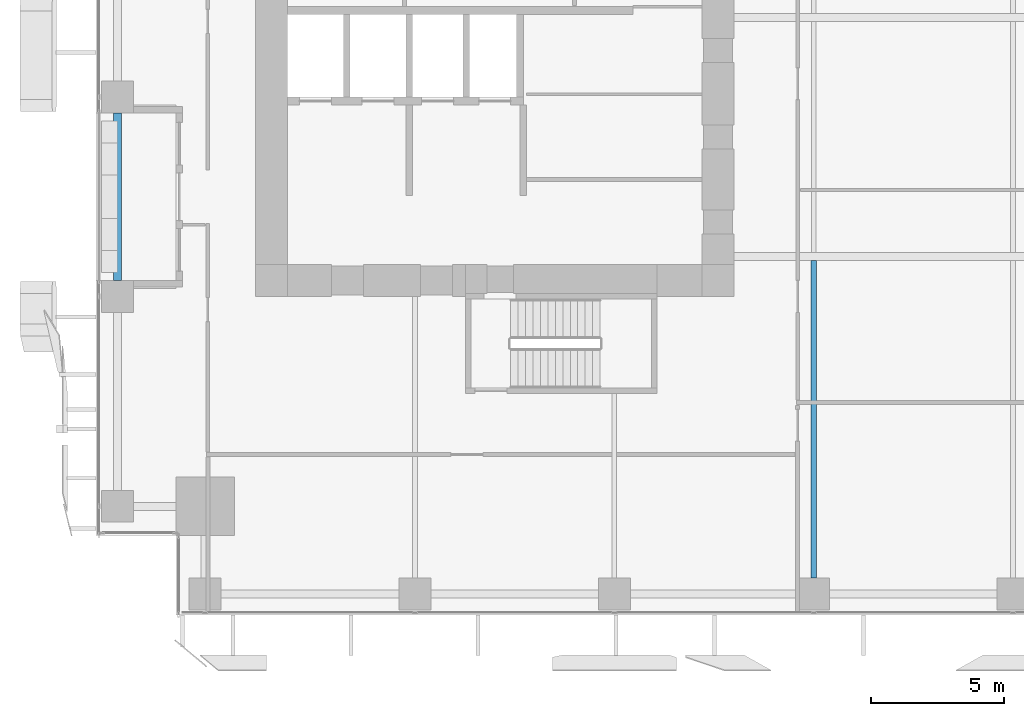
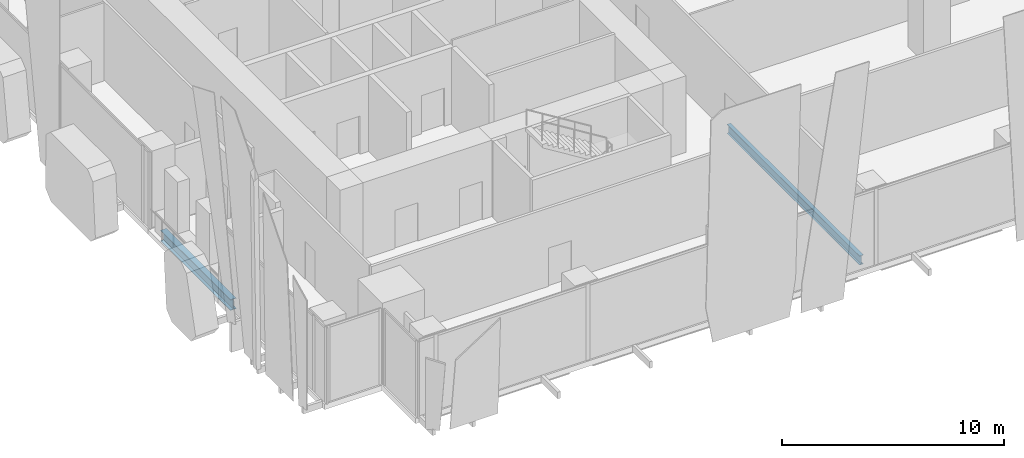
# One storey, part 4 of 36: 2 beams.
"""IFC4 building model written with IfcOpenShell, lengths in metres."""

from ifc_helpers import new_model, si_unit, direction, frame, origin, origin_2d, place, context, subcontext, project, spatial, i_section, extrude, source, transform, mapped, material, material_profile, profile_set, type_object, element, save


model = new_model("IFC4")

# Units and contexts
model_context = context("Model", 3, precision=1e-05, world=origin(), true_north=direction((0.0, 1.0)))
body_context = subcontext(model_context, "Body", "Model", "MODEL_VIEW")
ifc_project = project(units=[si_unit("LENGTHUNIT", "METRE"), si_unit("AREAUNIT", "SQUARE_METRE"), si_unit("VOLUMEUNIT", "CUBIC_METRE"), si_unit("PLANEANGLEUNIT", "RADIAN"), si_unit("MASSUNIT", "GRAM", prefix="KILO")], contexts=[model_context])

# Site, building, storey
site_placement = place(None, origin())
site = spatial("IfcSite", under=ifc_project, at=site_placement, CompositionType="ELEMENT")
building_placement = place(site_placement, origin())
building = spatial("IfcBuilding", under=site, at=building_placement, Name="Khomas Fold Tower", CompositionType="ELEMENT")
storey_placement = place(building_placement, frame((0.0, 0.0, 46.5)))
storey = spatial("IfcBuildingStorey", under=building, at=storey_placement, Name="L09", CompositionType="ELEMENT", Elevation=46.5)

# Beams
ifc_material_1 = material(Name="Steel S355", Category="steel")
ifc_material_profile_1 = material_profile(ifc_material_1, i_section(OverallWidth=0.300048828125, OverallDepth=0.60009765625, WebThickness=0.015380859375, FlangeThickness=0.030029296875, at=origin_2d()), Name="HE 600 B")
ifc_profile_set_1 = profile_set([ifc_material_profile_1], Name="Steel S355")
beam_type_1 = type_object("IfcBeamType", Name="HE 600 B spandrel SB1", PredefinedType="SPANDREL", material=ifc_profile_set_1)
shared_shape_1 = source(origin(), body_context, "Body", "SweptSolid", [
    extrude(i_section(OverallWidth=0.300048828125, OverallDepth=0.60009765625, WebThickness=0.015380859375, FlangeThickness=0.030029296875, at=origin_2d()), origin(), (0.0, 0.0, 1.0), 6.2998046875),
])
beam_1_placement = place(storey_placement, frame((0.800048828125, 12.60009765625, -0.60009765625), z_axis=(0.0, 1.0, 0.0), x_axis=(-1.0, 0.0, 0.0)))
element("IfcBeam", 1, at=beam_1_placement, inside=storey, type_object=beam_type_1, Name="SB1", PredefinedType="SPANDREL", context=body_context, shape_type="MappedRepresentation", body=[
    mapped(shared_shape_1, transform((0.0, 0.0, 0.0))),
])
ifc_material_2 = material(Name="Steel S355", Category="steel")
ifc_material_profile_2 = material_profile(ifc_material_2, i_section(OverallWidth=0.199951171875, OverallDepth=0.5, WebThickness=0.01025390625, FlangeThickness=0.01611328125, at=origin_2d()), Name="IPE 500")
ifc_profile_set_2 = profile_set([ifc_material_profile_2], Name="Steel S355")
beam_type_2 = type_object("IfcBeamType", Name="IPE 500 beam JB5", PredefinedType="BEAM", material=ifc_profile_set_2)
shared_shape_2 = source(origin(), body_context, "Body", "SweptSolid", [
    extrude(i_section(OverallWidth=0.199951171875, OverallDepth=0.5, WebThickness=0.01025390625, FlangeThickness=0.01611328125, at=origin_2d()), origin(), (0.0, 0.0, 1.0), 11.9501953125),
])
beam_2_placement = place(storey_placement, frame((27.0, 1.39990234375, -0.550048828125), z_axis=(0.0, 1.0, 0.0), x_axis=(-1.0, 0.0, 0.0)))
element("IfcBeam", 2, at=beam_2_placement, inside=storey, type_object=beam_type_2, Name="JB5", PredefinedType="BEAM", context=body_context, shape_type="MappedRepresentation", body=[
    mapped(shared_shape_2, transform((0.0, 0.0, 0.0))),
])

save(model, "model.ifc")
